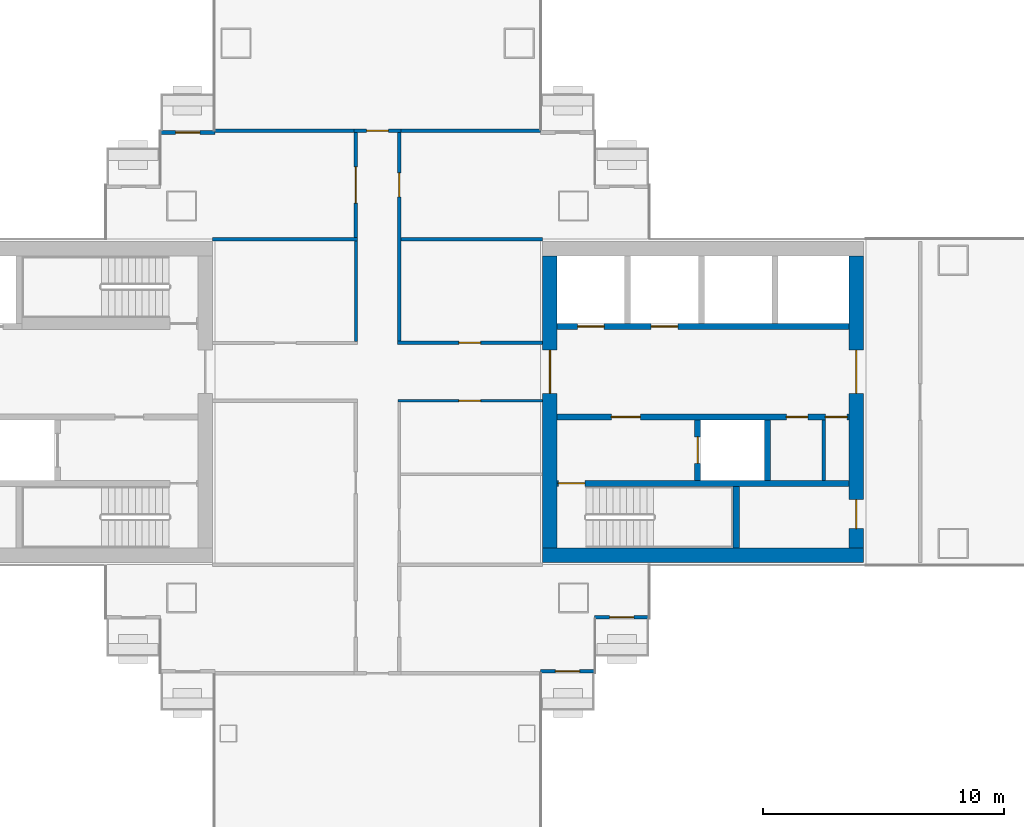
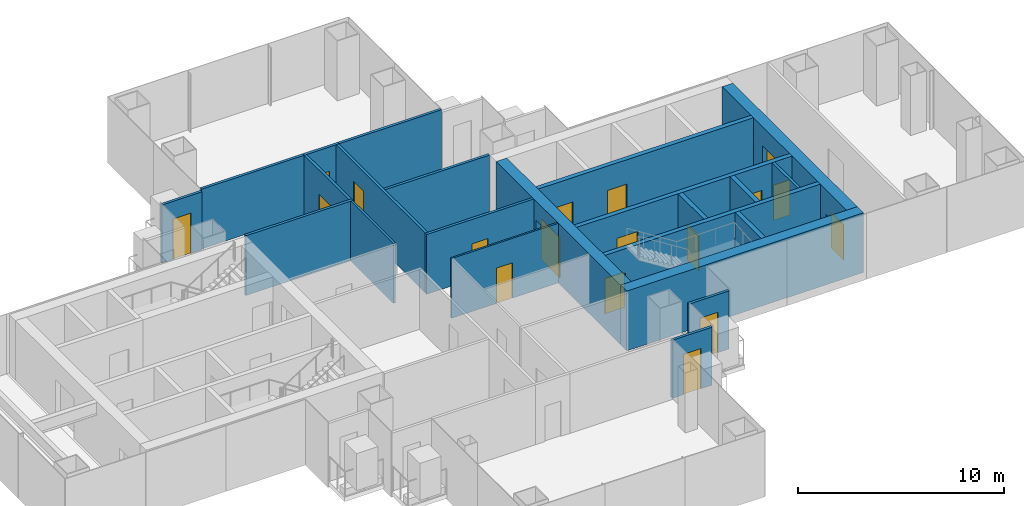
# One storey, part 13 of 20: 23 walls, 18 doors, 18 openings.
"""IFC4 building model written with IfcOpenShell, lengths in metres."""

from ifc_helpers import new_model, si_unit, direction, frame, frame_2d, origin, place, context, subcontext, project, spatial, rectangle, extrude, material, layer, layer_set, type_object, element, fill, save


model = new_model("IFC4")

# Units and contexts
model_context = context("Model", 3, precision=1e-05, world=origin(), true_north=direction((0.0, 1.0)))
body_context = subcontext(model_context, "Body", "Model", "MODEL_VIEW")
ifc_project = project(units=[si_unit("LENGTHUNIT", "METRE"), si_unit("AREAUNIT", "SQUARE_METRE"), si_unit("VOLUMEUNIT", "CUBIC_METRE"), si_unit("PLANEANGLEUNIT", "RADIAN"), si_unit("MASSUNIT", "GRAM", prefix="KILO")], contexts=[model_context])

# Site, building, storey
site_placement = place(None, origin())
site = spatial("IfcSite", under=ifc_project, at=site_placement, CompositionType="ELEMENT")
building_placement = place(site_placement, origin())
building = spatial("IfcBuilding", under=site, at=building_placement, Name="Shamsa Quay Exchange Towers", CompositionType="ELEMENT")
storey_placement = place(building_placement, frame((0.0, 0.0, 101.39990234375)))
storey = spatial("IfcBuildingStorey", under=building, at=storey_placement, Name="L23", CompositionType="ELEMENT", Elevation=101.39990234375)

# Wall, opening, door
ifc_material_1 = material(Name="Aluminium EN AW-6063 T6, black anodised, with black enamelled glass infill", Category="aluminium")
ifc_layer_1 = layer(ifc_material_1, 0.14990234375)
ifc_layer_set_1 = layer_set([ifc_layer_1], Name="BALCONY DOOR BAY WALL 150")
wall_type_1 = type_object("IfcWallType", Name="BALCONY DOOR BAY WALL 150", PredefinedType="SOLIDWALL", material=ifc_layer_set_1)
wall_1_placement = place(storey_placement, frame((-22.5, -8.925048828125, 0.0), z_axis=(0.0, 0.0, 1.0), x_axis=(-1.0, 0.0, 0.0)))
wall_1 = element("IfcWall", 1, at=wall_1_placement, inside=storey, type_object=wall_type_1, Name="Door bay T1-PKES L23", PredefinedType="SOLIDWALL", context=body_context, shape_type="SweptSolid", body=[
    extrude(rectangle(XDim=2.25, YDim=0.14990234375, at=frame_2d((1.125, 0.0))), origin(), (0.0, 0.0, 1.0), 3.4501953125),
])
opening_1_placement = place(wall_1_placement, frame((0.625, 0.0, 0.0)))
opening_1 = element("IfcOpeningElement", 2, at=opening_1_placement, cuts=wall_1, Name="Opening XD147", PredefinedType="OPENING", context=body_context, shape_type="SweptSolid", body=[
    extrude(rectangle(XDim=1.0, YDim=2.39990234375, at=frame_2d((0.5, 1.199951171875))), frame((0.0, 0.0849609375, 0.0), z_axis=(0.0, -1.0, 0.0), x_axis=(1.0, 0.0, 0.0)), (0.0, 0.0, 1.0), 0.169921875),
])
ifc_material_2 = material(Name="Aluminium EN AW-6063 T6, black anodised, with laminated glass leaf", Category="aluminium")
door_type_1 = type_object("IfcDoorType", Name="BALCONY DOOR 1000x2400", OperationType="SINGLE_SWING_LEFT", PredefinedType="DOOR", material=ifc_material_2)
door_1_placement = place(opening_1_placement, origin())
door_1 = element("IfcDoor", 3, at=door_1_placement, inside=storey, type_object=door_type_1, Name="Balcony door T1-PKES L23", OperationType="SINGLE_SWING_RIGHT", OverallHeight=2.39990234375, OverallWidth=1.0, PredefinedType="DOOR", context=body_context, shape_type="SweptSolid", body=[
    extrude(rectangle(XDim=1.0, YDim=2.39990234375, at=frame_2d((0.5, 1.199951171875))), frame((0.0, 0.02490234375, 0.0), z_axis=(0.0, -1.0, 0.0), x_axis=(1.0, 0.0, 0.0)), (0.0, 0.0, 1.0), 0.050048828125),
])
fill(opening_1, door_1)

wall_2_placement = place(storey_placement, frame((-24.75, -11.175048828125, 0.0), z_axis=(0.0, 0.0, 1.0), x_axis=(-1.0, 0.0, 0.0)))
wall_2 = element("IfcWall", 4, at=wall_2_placement, inside=storey, type_object=wall_type_1, Name="Door bay T1-PKES L23", PredefinedType="SOLIDWALL", context=body_context, shape_type="SweptSolid", body=[
    extrude(rectangle(XDim=2.25, YDim=0.14990234375, at=frame_2d((1.125, 0.0))), origin(), (0.0, 0.0, 1.0), 3.4501953125),
])
opening_2_placement = place(wall_2_placement, frame((0.625, 0.0, 0.0)))
opening_2 = element("IfcOpeningElement", 5, at=opening_2_placement, cuts=wall_2, Name="Opening XD148", PredefinedType="OPENING", context=body_context, shape_type="SweptSolid", body=[
    extrude(rectangle(XDim=1.0, YDim=2.39990234375, at=frame_2d((0.5, 1.199951171875))), frame((0.0, 0.0849609375, 0.0), z_axis=(0.0, -1.0, 0.0), x_axis=(1.0, 0.0, 0.0)), (0.0, 0.0, 1.0), 0.169921875),
])
door_2_placement = place(opening_2_placement, origin())
door_2 = element("IfcDoor", 6, at=door_2_placement, inside=storey, type_object=door_type_1, Name="Balcony door T1-PKES L23", OperationType="SINGLE_SWING_LEFT", OverallHeight=2.39990234375, OverallWidth=1.0, PredefinedType="DOOR", context=body_context, shape_type="SweptSolid", body=[
    extrude(rectangle(XDim=1.0, YDim=2.39990234375, at=frame_2d((0.5, 1.199951171875))), frame((0.0, 0.02490234375, 0.0), z_axis=(0.0, -1.0, 0.0), x_axis=(1.0, 0.0, 0.0)), (0.0, 0.0, 1.0), 0.050048828125),
])
fill(opening_2, door_2)

wall_3_placement = place(storey_placement, frame((-42.75, 11.175048828125, 0.0)))
wall_3 = element("IfcWall", 7, at=wall_3_placement, inside=storey, type_object=wall_type_1, Name="Door bay T1-PKWN L23", PredefinedType="SOLIDWALL", context=body_context, shape_type="SweptSolid", body=[
    extrude(rectangle(XDim=2.25, YDim=0.14990234375, at=frame_2d((1.125, 0.0))), origin(), (0.0, 0.0, 1.0), 3.4501953125),
])
opening_3_placement = place(wall_3_placement, frame((0.625, 0.0, 0.0)))
opening_3 = element("IfcOpeningElement", 8, at=opening_3_placement, cuts=wall_3, Name="Opening XD149", PredefinedType="OPENING", context=body_context, shape_type="SweptSolid", body=[
    extrude(rectangle(XDim=1.0, YDim=2.39990234375, at=frame_2d((0.5, 1.199951171875))), frame((0.0, 0.0849609375, 0.0), z_axis=(0.0, -1.0, 0.0), x_axis=(1.0, 0.0, 0.0)), (0.0, 0.0, 1.0), 0.169921875),
])
door_3_placement = place(opening_3_placement, origin())
door_3 = element("IfcDoor", 9, at=door_3_placement, inside=storey, type_object=door_type_1, Name="Balcony door T1-PKWN L23", OperationType="SINGLE_SWING_LEFT", OverallHeight=2.39990234375, OverallWidth=1.0, PredefinedType="DOOR", context=body_context, shape_type="SweptSolid", body=[
    extrude(rectangle(XDim=1.0, YDim=2.39990234375, at=frame_2d((0.5, 1.199951171875))), frame((0.0, 0.02490234375, 0.0), z_axis=(0.0, -1.0, 0.0), x_axis=(1.0, 0.0, 0.0)), (0.0, 0.0, 1.0), 0.050048828125),
])
fill(opening_3, door_3)

# Wall
ifc_material_3 = material(Name="Concrete C70/85", Category="concrete")
ifc_layer_2 = layer(ifc_material_3, 0.60009765625)
ifc_layer_set_2 = layer_set([ifc_layer_2], Name="CORE WALL 600 C70/85")
wall_type_2 = type_object("IfcWallType", Name="CORE WALL 600 C70/85", PredefinedType="SHEAR", material=ifc_layer_set_2)
wall_4_placement = place(storey_placement, frame((-26.89990234375, -6.35009765625, 0.0)))
element("IfcWall", 10, at=wall_4_placement, inside=storey, type_object=wall_type_2, Name="Core wall T1A-R10-PS", PredefinedType="SHEAR", context=body_context, shape_type="SweptSolid", body=[
    extrude(rectangle(XDim=13.2998046875, YDim=0.60009765625, at=frame_2d((6.64990234375, 0.0))), origin(), (0.0, 0.0, 1.0), 3.550048828125),
])

# Wall, opening, door
wall_5_placement = place(storey_placement, frame((-26.60009765625, 6.050048828125, 0.0), z_axis=(0.0, 0.0, 1.0), x_axis=(0.0, -1.0, 0.0)))
wall_5 = element("IfcWall", 11, at=wall_5_placement, inside=storey, type_object=wall_type_2, Name="Core wall T1A-R10-PF", PredefinedType="SHEAR", context=body_context, shape_type="SweptSolid", body=[
    extrude(rectangle(XDim=12.10009765625, YDim=0.60009765625, at=frame_2d((6.050048828125, 0.0))), origin(), (0.0, 0.0, 1.0), 3.550048828125),
])
opening_4_placement = place(wall_5_placement, frame((3.89990234375, 0.0, 0.0)))
opening_4 = element("IfcOpeningElement", 12, at=opening_4_placement, cuts=wall_5, Name="Opening T1A-R10-LBD01", PredefinedType="OPENING", context=body_context, shape_type="SweptSolid", body=[
    extrude(rectangle(XDim=1.800048828125, YDim=2.39990234375, at=frame_2d((0.89990234375, 1.199951171875))), frame((0.0, 0.31005859375, 0.0), z_axis=(0.0, -1.0, 0.0), x_axis=(1.0, 0.0, 0.0)), (0.0, 0.0, 1.0), 0.6201171875),
])
ifc_material_4 = material(Name="Steel, fire rated", Category="steel")
door_type_2 = type_object("IfcDoorType", Name="LIFT LOBBY DOOR PAIR 1800", OperationType="DOUBLE_DOOR_SINGLE_SWING", PredefinedType="DOOR", material=ifc_material_4)
door_4_placement = place(opening_4_placement, origin())
door_4 = element("IfcDoor", 13, at=door_4_placement, inside=storey, type_object=door_type_2, Name="T1A-R10-LBD01", OperationType="DOUBLE_DOOR_SINGLE_SWING", OverallHeight=2.39990234375, OverallWidth=1.800048828125, PredefinedType="DOOR", context=body_context, shape_type="SweptSolid", body=[
    extrude(rectangle(XDim=1.800048828125, YDim=2.39990234375, at=frame_2d((0.89990234375, 1.199951171875))), frame((0.0, 0.02490234375, 0.0), z_axis=(0.0, -1.0, 0.0), x_axis=(1.0, 0.0, 0.0)), (0.0, 0.0, 1.0), 0.050048828125),
])
fill(opening_4, door_4)

# Wall, openings, doors
wall_6_placement = place(storey_placement, frame((-13.89990234375, 6.050048828125, 0.0), z_axis=(0.0, 0.0, 1.0), x_axis=(0.0, -1.0, 0.0)))
wall_6 = element("IfcWall", 14, at=wall_6_placement, inside=storey, type_object=wall_type_2, Name="Core wall T1A-R10-PB", PredefinedType="SHEAR", context=body_context, shape_type="SweptSolid", body=[
    extrude(rectangle(XDim=12.10009765625, YDim=0.60009765625, at=frame_2d((6.050048828125, 0.0))), origin(), (0.0, 0.0, 1.0), 3.550048828125),
])
opening_5_placement = place(wall_6_placement, frame((10.10009765625, 0.0, 0.0)))
opening_5 = element("IfcOpeningElement", 15, at=opening_5_placement, cuts=wall_6, Name="Opening T1A-R10-RD02", PredefinedType="OPENING", context=body_context, shape_type="SweptSolid", body=[
    extrude(rectangle(XDim=1.199951171875, YDim=2.10009765625, at=frame_2d((0.60009765625, 1.050048828125))), frame((0.0, 0.31005859375, 0.0), z_axis=(0.0, -1.0, 0.0), x_axis=(1.0, 0.0, 0.0)), (0.0, 0.0, 1.0), 0.6201171875),
])
opening_6_placement = place(wall_6_placement, frame((3.89990234375, 0.0, 0.0)))
opening_6 = element("IfcOpeningElement", 16, at=opening_6_placement, cuts=wall_6, Name="Opening T1A-R10-LBD03", PredefinedType="OPENING", context=body_context, shape_type="SweptSolid", body=[
    extrude(rectangle(XDim=1.800048828125, YDim=2.39990234375, at=frame_2d((0.89990234375, 1.199951171875))), frame((0.0, 0.31005859375, 0.0), z_axis=(0.0, -1.0, 0.0), x_axis=(1.0, 0.0, 0.0)), (0.0, 0.0, 1.0), 0.6201171875),
])
door_5_placement = place(opening_6_placement, origin())
door_5 = element("IfcDoor", 17, at=door_5_placement, inside=storey, type_object=door_type_2, Name="T1A-R10-LBD03", OperationType="DOUBLE_DOOR_SINGLE_SWING", OverallHeight=2.39990234375, OverallWidth=1.800048828125, PredefinedType="DOOR", context=body_context, shape_type="SweptSolid", body=[
    extrude(rectangle(XDim=1.800048828125, YDim=2.39990234375, at=frame_2d((0.89990234375, 1.199951171875))), frame((0.0, 0.02490234375, 0.0), z_axis=(0.0, -1.0, 0.0), x_axis=(1.0, 0.0, 0.0)), (0.0, 0.0, 1.0), 0.050048828125),
])
fill(opening_6, door_5)
door_type_3 = type_object("IfcDoorType", Name="RISER ACCESS DOOR 1200", OperationType="SINGLE_SWING_LEFT", PredefinedType="DOOR", material=ifc_material_4)
door_6_placement = place(opening_5_placement, origin())
door_6 = element("IfcDoor", 18, at=door_6_placement, inside=storey, type_object=door_type_3, Name="T1A-R10-RD02", OperationType="SINGLE_SWING_RIGHT", OverallHeight=2.10009765625, OverallWidth=1.199951171875, PredefinedType="DOOR", context=body_context, shape_type="SweptSolid", body=[
    extrude(rectangle(XDim=1.199951171875, YDim=2.10009765625, at=frame_2d((0.60009765625, 1.050048828125))), frame((0.0, 0.02490234375, 0.0), z_axis=(0.0, -1.0, 0.0), x_axis=(1.0, 0.0, 0.0)), (0.0, 0.0, 1.0), 0.050048828125),
])
fill(opening_5, door_6)

# Walls
ifc_material_5 = material(Name="Gypsum board on steel studs, EI 60", Category="steel")
ifc_layer_3 = layer(ifc_material_5, 0.14990234375)
ifc_layer_set_3 = layer_set([ifc_layer_3], Name="FIRE PARTITION 150")
wall_type_3 = type_object("IfcWallType", Name="FIRE PARTITION 150", PredefinedType="PARTITIONING", material=ifc_layer_set_3)
wall_7_placement = place(storey_placement, frame((-15.25, -3.25, 0.0), z_axis=(0.0, 0.0, 1.0), x_axis=(0.0, 1.0, 0.0)))
element("IfcWall", 19, at=wall_7_placement, inside=storey, type_object=wall_type_3, Name="Partition T1A-R10-EC0", PredefinedType="PARTITIONING", context=body_context, shape_type="SweptSolid", body=[
    extrude(rectangle(XDim=2.5, YDim=0.14990234375, at=frame_2d((1.25, 0.0))), origin(), (0.0, 0.0, 1.0), 3.550048828125),
])
ifc_material_6 = material(Name="Laminated fire-resisting glass in a metal frame", Category="glass")
ifc_layer_4 = layer(ifc_material_6, 0.125)
ifc_layer_set_4 = layer_set([ifc_layer_4], Name="Glazed partition 125 mm EI 60")
wall_type_4 = type_object("IfcWallType", Name="Glazed partition 125 mm EI 60", PredefinedType="PARTITIONING", material=ifc_layer_set_4)
wall_8_placement = place(storey_placement, frame((-34.650390625, 2.5126953125, 0.0), z_axis=(0.0, 0.0, 1.0), x_axis=(0.0, 1.0, 0.0)))
element("IfcWall", 20, at=wall_8_placement, inside=storey, type_object=wall_type_4, Name="Partition T1-R10-W07", PredefinedType="PARTITIONING", context=body_context, shape_type="SweptSolid", body=[
    extrude(rectangle(XDim=4.162353515625, YDim=0.125, at=frame_2d((2.0810546875, 0.0))), origin(), (0.0, 0.0, 1.0), 3.550048828125),
])

# Wall, opening, door
ifc_material_7 = material(Name="Gypsum board partition on metal studs")
ifc_layer_5 = layer(ifc_material_7, 0.10009765625)
ifc_layer_set_5 = layer_set([ifc_layer_5], Name="Partition 100 mm NOT RATED")
wall_type_5 = type_object("IfcWallType", Name="Partition 100 mm NOT RATED", PredefinedType="PARTITIONING", material=ifc_layer_set_5)
wall_9_placement = place(storey_placement, frame((-26.89990234375, 0.0498046875, 0.0), z_axis=(0.0, 0.0, 1.0), x_axis=(-1.0, 0.0, 0.0)))
wall_9 = element("IfcWall", 21, at=wall_9_placement, inside=storey, type_object=wall_type_5, Name="Partition T1-R10-W05", PredefinedType="PARTITIONING", context=body_context, shape_type="SweptSolid", body=[
    extrude(rectangle(XDim=5.999755859375, YDim=0.10009765625, at=frame_2d((3.0, 0.0))), origin(), (0.0, 0.0, 1.0), 3.550048828125),
])
opening_7_placement = place(wall_9_placement, frame((2.57470703125, 0.0, 0.0)))
opening_7 = element("IfcOpeningElement", 22, at=opening_7_placement, cuts=wall_9, Name="Opening T1-R10-D11", PredefinedType="OPENING", context=body_context, shape_type="SweptSolid", body=[
    extrude(rectangle(XDim=0.89990234375, YDim=2.10009765625, at=frame_2d((0.449951171875, 1.050048828125))), frame((0.0, 0.06005859375, 0.0), z_axis=(0.0, -1.0, 0.0), x_axis=(1.0, 0.0, 0.0)), (0.0, 0.0, 1.0), 0.1201171875),
])
ifc_material_8 = material(Name="Timber door leaf in a metal frame", Category="wood")
door_type_4 = type_object("IfcDoorType", Name="Door 900x2100 NOT RATED", OperationType="NOTDEFINED", PredefinedType="DOOR", material=ifc_material_8)
door_7_placement = place(opening_7_placement, origin())
door_7 = element("IfcDoor", 23, at=door_7_placement, inside=storey, type_object=door_type_4, Name="Door T1-R10-D11", OperationType="SINGLE_SWING_RIGHT", OverallHeight=2.10009765625, OverallWidth=0.89990234375, PredefinedType="DOOR", context=body_context, shape_type="SweptSolid", body=[
    extrude(rectangle(XDim=0.89990234375, YDim=2.10009765625, at=frame_2d((0.449951171875, 1.050048828125))), frame((0.0, 0.02490234375, 0.0), z_axis=(0.0, -1.0, 0.0), x_axis=(1.0, 0.0, 0.0)), (0.0, 0.0, 1.0), 0.050048828125),
])
fill(opening_7, door_7)

ifc_layer_6 = layer(ifc_material_7, 0.14990234375)
ifc_layer_set_6 = layer_set([ifc_layer_6], Name="Partition 150 mm EI 60")
wall_type_6 = type_object("IfcWallType", Name="Partition 150 mm EI 60", PredefinedType="PARTITIONING", material=ifc_layer_set_6)
wall_10_placement = place(storey_placement, frame((-32.849609375, 11.175048828125, 0.0), z_axis=(0.0, 0.0, 1.0), x_axis=(0.0, -1.0, 0.0)))
wall_10 = element("IfcWall", 24, at=wall_10_placement, inside=storey, type_object=wall_type_6, Name="Partition T1-R10-W01", PredefinedType="PARTITIONING", context=body_context, shape_type="SweptSolid", body=[
    extrude(rectangle(XDim=8.64990234375, YDim=0.14990234375, at=frame_2d((4.324951171875, 0.0))), origin(), (0.0, 0.0, 1.0), 3.550048828125),
])
opening_8_placement = place(wall_10_placement, frame((1.675048828125, 0.0, 0.0)))
opening_8 = element("IfcOpeningElement", 25, at=opening_8_placement, cuts=wall_10, Name="Opening T1-R10-D10", PredefinedType="OPENING", context=body_context, shape_type="SweptSolid", body=[
    extrude(rectangle(XDim=1.0, YDim=2.39990234375, at=frame_2d((0.5, 1.199951171875))), frame((0.0, 0.0849609375, 0.0), z_axis=(0.0, -1.0, 0.0), x_axis=(1.0, 0.0, 0.0)), (0.0, 0.0, 1.0), 0.169921875),
])
door_type_5 = type_object("IfcDoorType", Name="Door 1000x2400 FD30S", OperationType="NOTDEFINED", PredefinedType="DOOR", material=ifc_material_8)
door_8_placement = place(opening_8_placement, origin())
door_8 = element("IfcDoor", 26, at=door_8_placement, inside=storey, type_object=door_type_5, Name="Door T1-R10-D10", OperationType="SINGLE_SWING_RIGHT", OverallHeight=2.39990234375, OverallWidth=1.0, PredefinedType="DOOR", context=body_context, shape_type="SweptSolid", body=[
    extrude(rectangle(XDim=1.0, YDim=2.39990234375, at=frame_2d((0.5, 1.199951171875))), frame((0.0, 0.02490234375, 0.0), z_axis=(0.0, -1.0, 0.0), x_axis=(1.0, 0.0, 0.0)), (0.0, 0.0, 1.0), 0.050048828125),
])
fill(opening_8, door_8)

wall_11_placement = place(storey_placement, frame((-32.924560546875, 2.4501953125, 0.0)))
wall_11 = element("IfcWall", 27, at=wall_11_placement, inside=storey, type_object=wall_type_6, Name="Partition T1-R10-W03", PredefinedType="PARTITIONING", context=body_context, shape_type="SweptSolid", body=[
    extrude(rectangle(XDim=6.024658203125, YDim=0.14990234375, at=frame_2d((3.01220703125, 0.0))), origin(), (0.0, 0.0, 1.0), 3.550048828125),
])
opening_9_placement = place(wall_11_placement, frame((2.5498046875, 0.0, 0.0)))
opening_9 = element("IfcOpeningElement", 28, at=opening_9_placement, cuts=wall_11, Name="Opening T1-R10-D09", PredefinedType="OPENING", context=body_context, shape_type="SweptSolid", body=[
    extrude(rectangle(XDim=0.89990234375, YDim=2.10009765625, at=frame_2d((0.449951171875, 1.050048828125))), frame((0.0, 0.0849609375, 0.0), z_axis=(0.0, -1.0, 0.0), x_axis=(1.0, 0.0, 0.0)), (0.0, 0.0, 1.0), 0.169921875),
])
door_type_6 = type_object("IfcDoorType", Name="Door 900x2100 FD30S", OperationType="NOTDEFINED", PredefinedType="DOOR", material=ifc_material_8)
door_9_placement = place(opening_9_placement, origin())
door_9 = element("IfcDoor", 29, at=door_9_placement, inside=storey, type_object=door_type_6, Name="Door T1-R10-D09", OperationType="SINGLE_SWING_LEFT", OverallHeight=2.10009765625, OverallWidth=0.89990234375, PredefinedType="DOOR", context=body_context, shape_type="SweptSolid", body=[
    extrude(rectangle(XDim=0.89990234375, YDim=2.10009765625, at=frame_2d((0.449951171875, 1.050048828125))), frame((0.0, 0.02490234375, 0.0), z_axis=(0.0, -1.0, 0.0), x_axis=(1.0, 0.0, 0.0)), (0.0, 0.0, 1.0), 0.050048828125),
])
fill(opening_9, door_9)

wall_12_placement = place(storey_placement, frame((-34.650390625, 6.824951171875, 0.0), z_axis=(0.0, 0.0, 1.0), x_axis=(0.0, 1.0, 0.0)))
wall_12 = element("IfcWall", 30, at=wall_12_placement, inside=storey, type_object=wall_type_6, Name="Partition T1-R10-W09", PredefinedType="PARTITIONING", context=body_context, shape_type="SweptSolid", body=[
    extrude(rectangle(XDim=4.35009765625, YDim=0.14990234375, at=frame_2d((2.175048828125, 0.0))), origin(), (0.0, 0.0, 1.0), 3.550048828125),
])
opening_10_placement = place(wall_12_placement, frame((1.425048828125, 0.0, 0.0)))
opening_10 = element("IfcOpeningElement", 31, at=opening_10_placement, cuts=wall_12, Name="Opening T1-R10-D04", PredefinedType="OPENING", context=body_context, shape_type="SweptSolid", body=[
    extrude(rectangle(XDim=1.5, YDim=2.10009765625, at=frame_2d((0.75, 1.050048828125))), frame((0.0, 0.0849609375, 0.0), z_axis=(0.0, -1.0, 0.0), x_axis=(1.0, 0.0, 0.0)), (0.0, 0.0, 1.0), 0.169921875),
])
door_type_7 = type_object("IfcDoorType", Name="Door 1500x2100 FD30S pair", OperationType="NOTDEFINED", PredefinedType="DOOR", material=ifc_material_8)
door_10_placement = place(opening_10_placement, origin())
door_10 = element("IfcDoor", 32, at=door_10_placement, inside=storey, type_object=door_type_7, Name="Door T1-R10-D04", OperationType="DOUBLE_DOOR_SINGLE_SWING", OverallHeight=2.10009765625, OverallWidth=1.5, PredefinedType="DOOR", context=body_context, shape_type="SweptSolid", body=[
    extrude(rectangle(XDim=1.5, YDim=2.10009765625, at=frame_2d((0.75, 1.050048828125))), frame((0.0, 0.02490234375, 0.0), z_axis=(0.0, -1.0, 0.0), x_axis=(1.0, 0.0, 0.0)), (0.0, 0.0, 1.0), 0.050048828125),
])
fill(opening_10, door_10)

wall_13_placement = place(storey_placement, frame((-34.725341796875, 11.25, 0.0)))
wall_13 = element("IfcWall", 33, at=wall_13_placement, inside=storey, type_object=wall_type_6, Name="Partition T1-R10-W11", PredefinedType="PARTITIONING", context=body_context, shape_type="SweptSolid", body=[
    extrude(rectangle(XDim=1.95068359375, YDim=0.14990234375, at=frame_2d((0.975341796875, 0.0))), origin(), (0.0, 0.0, 1.0), 3.550048828125),
])
opening_11_placement = place(wall_13_placement, frame((0.525390625, 0.0, 0.0)))
opening_11 = element("IfcOpeningElement", 34, at=opening_11_placement, cuts=wall_13, Name="Opening T1-R10-D05", PredefinedType="OPENING", context=body_context, shape_type="SweptSolid", body=[
    extrude(rectangle(XDim=0.89990234375, YDim=2.10009765625, at=frame_2d((0.449951171875, 1.050048828125))), frame((0.0, 0.0849609375, 0.0), z_axis=(0.0, -1.0, 0.0), x_axis=(1.0, 0.0, 0.0)), (0.0, 0.0, 1.0), 0.169921875),
])
door_11_placement = place(opening_11_placement, origin())
door_11 = element("IfcDoor", 35, at=door_11_placement, inside=storey, type_object=door_type_6, Name="Door T1-R10-D05", OperationType="SINGLE_SWING_LEFT", OverallHeight=2.10009765625, OverallWidth=0.89990234375, PredefinedType="DOOR", context=body_context, shape_type="SweptSolid", body=[
    extrude(rectangle(XDim=0.89990234375, YDim=2.10009765625, at=frame_2d((0.449951171875, 1.050048828125))), frame((0.0, 0.02490234375, 0.0), z_axis=(0.0, -1.0, 0.0), x_axis=(1.0, 0.0, 0.0)), (0.0, 0.0, 1.0), 0.050048828125),
])
fill(opening_11, door_11)

# Walls
wall_14_placement = place(storey_placement, frame((-26.89990234375, 6.75, 0.0), z_axis=(0.0, 0.0, 1.0), x_axis=(-1.0, 0.0, 0.0)))
element("IfcWall", 36, at=wall_14_placement, inside=storey, type_object=wall_type_6, Name="Partition T1-R10-W14", PredefinedType="PARTITIONING", context=body_context, shape_type="SweptSolid", body=[
    extrude(rectangle(XDim=5.874755859375, YDim=0.14990234375, at=frame_2d((2.9375, 0.0))), origin(), (0.0, 0.0, 1.0), 3.550048828125),
])
wall_15_placement = place(storey_placement, frame((-34.575439453125, 6.75, 0.0), z_axis=(0.0, 0.0, 1.0), x_axis=(-1.0, 0.0, 0.0)))
element("IfcWall", 37, at=wall_15_placement, inside=storey, type_object=wall_type_6, Name="Partition T1-R10-W15", PredefinedType="PARTITIONING", context=body_context, shape_type="SweptSolid", body=[
    extrude(rectangle(XDim=6.024658203125, YDim=0.14990234375, at=frame_2d((3.01220703125, 0.0))), origin(), (0.0, 0.0, 1.0), 3.550048828125),
])
for number, where, z_axis, x_axis, name in (
    (38, (-27.0, 11.25, 0.0), (0.0, 0.0, 1.0), (-1.0, 0.0, 0.0), "Partition T1-R10-W19"),
    (39, (-34.575439453125, 11.25, 0.0), (0.0, 0.0, 1.0), (-1.0, 0.0, 0.0), "Partition T1-R10-W20"),
):
    element("IfcWall", number, at=place(storey_placement, frame(where, z_axis=z_axis, x_axis=x_axis)), inside=storey, type_object=wall_type_6, Name=name, PredefinedType="PARTITIONING", context=body_context, shape_type="SweptSolid", body=[
        extrude(rectangle(XDim=5.924560546875, YDim=0.14990234375, at=frame_2d((2.96240234375, 0.0))), origin(), (0.0, 0.0, 1.0), 3.550048828125),
    ])

# Wall, opening, door
ifc_material_9 = material(Name="Concrete C50/60", Category="concrete")
ifc_layer_7 = layer(ifc_material_9, 0.25)
ifc_layer_set_7 = layer_set([ifc_layer_7], Name="SHAFT WALL 250 C50/60")
wall_type_7 = type_object("IfcWallType", Name="SHAFT WALL 250 C50/60", PredefinedType="SHEAR", material=ifc_layer_set_7)
wall_16_placement = place(storey_placement, frame((-14.199951171875, -3.375, 0.0), z_axis=(0.0, 0.0, 1.0), x_axis=(-1.0, 0.0, 0.0)))
wall_16 = element("IfcWall", 40, at=wall_16_placement, inside=storey, type_object=wall_type_7, Name="Shaft wall T1A-R10-STL", PredefinedType="SHEAR", context=body_context, shape_type="SweptSolid", body=[
    extrude(rectangle(XDim=12.10009765625, YDim=0.25, at=frame_2d((6.050048828125, 0.0))), origin(), (0.0, 0.0, 1.0), 3.550048828125),
])
opening_12_placement = place(wall_16_placement, frame((10.949951171875, 0.0, 0.0)))
opening_12 = element("IfcOpeningElement", 41, at=opening_12_placement, cuts=wall_16, Name="Opening T1A-R10-SD04", PredefinedType="OPENING", context=body_context, shape_type="SweptSolid", body=[
    extrude(rectangle(XDim=1.10009765625, YDim=2.10009765625, at=frame_2d((0.550048828125, 1.050048828125))), frame((0.0, 0.135009765625, 0.0), z_axis=(0.0, -1.0, 0.0), x_axis=(1.0, 0.0, 0.0)), (0.0, 0.0, 1.0), 0.27001953125),
])
door_type_8 = type_object("IfcDoorType", Name="STAIR DOOR 1100", OperationType="SINGLE_SWING_LEFT", PredefinedType="DOOR", material=ifc_material_4)
door_12_placement = place(opening_12_placement, origin())
door_12 = element("IfcDoor", 42, at=door_12_placement, inside=storey, type_object=door_type_8, Name="T1A-R10-SD04", OperationType="SINGLE_SWING_RIGHT", OverallHeight=2.10009765625, OverallWidth=1.10009765625, PredefinedType="DOOR", context=body_context, shape_type="SweptSolid", body=[
    extrude(rectangle(XDim=1.10009765625, YDim=2.10009765625, at=frame_2d((0.550048828125, 1.050048828125))), frame((0.0, 0.02490234375, 0.0), z_axis=(0.0, -1.0, 0.0), x_axis=(1.0, 0.0, 0.0)), (0.0, 0.0, 1.0), 0.050048828125),
])
fill(opening_12, door_12)

# Wall
wall_17_placement = place(storey_placement, frame((-18.875, -6.050048828125, 0.0), z_axis=(0.0, 0.0, 1.0), x_axis=(0.0, 1.0, 0.0)))
element("IfcWall", 43, at=wall_17_placement, inside=storey, type_object=wall_type_7, Name="Shaft wall T1A-R10-STF", PredefinedType="SHEAR", context=body_context, shape_type="SweptSolid", body=[
    extrude(rectangle(XDim=2.550048828125, YDim=0.25, at=frame_2d((1.27490234375, 0.0))), origin(), (0.0, 0.0, 1.0), 3.550048828125),
])

# Wall, openings, doors
wall_18_placement = place(storey_placement, frame((-14.199951171875, -0.625, 0.0), z_axis=(0.0, 0.0, 1.0), x_axis=(-1.0, 0.0, 0.0)))
wall_18 = element("IfcWall", 44, at=wall_18_placement, inside=storey, type_object=wall_type_7, Name="Shaft wall T1A-R10-B", PredefinedType="SHEAR", context=body_context, shape_type="SweptSolid", body=[
    extrude(rectangle(XDim=12.10009765625, YDim=0.25, at=frame_2d((6.050048828125, 0.0))), origin(), (0.0, 0.0, 1.0), 3.550048828125),
])
opening_13_placement = place(wall_18_placement, frame((8.64990234375, 0.0, 0.0)))
opening_13 = element("IfcOpeningElement", 45, at=opening_13_placement, cuts=wall_18, Name="Opening T1A-R10-FD05", PredefinedType="OPENING", context=body_context, shape_type="SweptSolid", body=[
    extrude(rectangle(XDim=1.199951171875, YDim=2.10009765625, at=frame_2d((0.60009765625, 1.050048828125))), frame((0.0, 0.135009765625, 0.0), z_axis=(0.0, -1.0, 0.0), x_axis=(1.0, 0.0, 0.0)), (0.0, 0.0, 1.0), 0.27001953125),
])
opening_14_placement = place(wall_18_placement, frame((1.699951171875, 0.0, 0.0)))
opening_14 = element("IfcOpeningElement", 46, at=opening_14_placement, cuts=wall_18, Name="Opening T1A-R10-SV06", PredefinedType="OPENING", context=body_context, shape_type="SweptSolid", body=[
    extrude(rectangle(XDim=0.89990234375, YDim=2.10009765625, at=frame_2d((0.449951171875, 1.050048828125))), frame((0.0, 0.135009765625, 0.0), z_axis=(0.0, -1.0, 0.0), x_axis=(1.0, 0.0, 0.0)), (0.0, 0.0, 1.0), 0.27001953125),
])
opening_15_placement = place(wall_18_placement, frame((0.074951171875, 0.0, 0.0)))
opening_15 = element("IfcOpeningElement", 47, at=opening_15_placement, cuts=wall_18, Name="Opening T1A-R10-SV07", PredefinedType="OPENING", context=body_context, shape_type="SweptSolid", body=[
    extrude(rectangle(XDim=0.89990234375, YDim=2.10009765625, at=frame_2d((0.449951171875, 1.050048828125))), frame((0.0, 0.135009765625, 0.0), z_axis=(0.0, -1.0, 0.0), x_axis=(1.0, 0.0, 0.0)), (0.0, 0.0, 1.0), 0.27001953125),
])
door_type_9 = type_object("IfcDoorType", Name="FIRE SERVICE LOBBY DOOR 1200", OperationType="SINGLE_SWING_LEFT", PredefinedType="DOOR", material=ifc_material_4)
door_13_placement = place(opening_13_placement, origin())
door_13 = element("IfcDoor", 48, at=door_13_placement, inside=storey, type_object=door_type_9, Name="T1A-R10-FD05", OperationType="SINGLE_SWING_RIGHT", OverallHeight=2.10009765625, OverallWidth=1.199951171875, PredefinedType="DOOR", context=body_context, shape_type="SweptSolid", body=[
    extrude(rectangle(XDim=1.199951171875, YDim=2.10009765625, at=frame_2d((0.60009765625, 1.050048828125))), frame((0.0, 0.02490234375, 0.0), z_axis=(0.0, -1.0, 0.0), x_axis=(1.0, 0.0, 0.0)), (0.0, 0.0, 1.0), 0.050048828125),
])
fill(opening_13, door_13)
door_type_10 = type_object("IfcDoorType", Name="SERVICE ROOM DOOR 900", OperationType="SINGLE_SWING_LEFT", PredefinedType="DOOR", material=ifc_material_4)
door_14_placement = place(opening_14_placement, origin())
door_14 = element("IfcDoor", 49, at=door_14_placement, inside=storey, type_object=door_type_10, Name="T1A-R10-SV06", OperationType="SINGLE_SWING_LEFT", OverallHeight=2.10009765625, OverallWidth=0.89990234375, PredefinedType="DOOR", context=body_context, shape_type="SweptSolid", body=[
    extrude(rectangle(XDim=0.89990234375, YDim=2.10009765625, at=frame_2d((0.449951171875, 1.050048828125))), frame((0.0, 0.02490234375, 0.0), z_axis=(0.0, -1.0, 0.0), x_axis=(1.0, 0.0, 0.0)), (0.0, 0.0, 1.0), 0.050048828125),
])
fill(opening_14, door_14)
door_15_placement = place(opening_15_placement, origin())
door_15 = element("IfcDoor", 50, at=door_15_placement, inside=storey, type_object=door_type_10, Name="T1A-R10-SV07", OperationType="SINGLE_SWING_LEFT", OverallHeight=2.10009765625, OverallWidth=0.89990234375, PredefinedType="DOOR", context=body_context, shape_type="SweptSolid", body=[
    extrude(rectangle(XDim=0.89990234375, YDim=2.10009765625, at=frame_2d((0.449951171875, 1.050048828125))), frame((0.0, 0.02490234375, 0.0), z_axis=(0.0, -1.0, 0.0), x_axis=(1.0, 0.0, 0.0)), (0.0, 0.0, 1.0), 0.050048828125),
])
fill(opening_15, door_15)

# Wall, opening, door
wall_19_placement = place(storey_placement, frame((-20.47509765625, -3.25, 0.0), z_axis=(0.0, 0.0, 1.0), x_axis=(0.0, 1.0, 0.0)))
wall_19 = element("IfcWall", 51, at=wall_19_placement, inside=storey, type_object=wall_type_7, Name="Shaft wall T1A-R10-FFF", PredefinedType="SHEAR", context=body_context, shape_type="SweptSolid", body=[
    extrude(rectangle(XDim=2.5, YDim=0.25, at=frame_2d((1.25, 0.0))), origin(), (0.0, 0.0, 1.0), 3.550048828125),
])
opening_16_placement = place(wall_19_placement, frame((0.699951171875, 0.0, 0.0)))
opening_16 = element("IfcOpeningElement", 52, at=opening_16_placement, cuts=wall_19, Name="Opening T1A-R10-LDF08", PredefinedType="OPENING", context=body_context, shape_type="SweptSolid", body=[
    extrude(rectangle(XDim=1.10009765625, YDim=2.10009765625, at=frame_2d((0.550048828125, 1.050048828125))), frame((0.0, 0.135009765625, 0.0), z_axis=(0.0, -1.0, 0.0), x_axis=(1.0, 0.0, 0.0)), (0.0, 0.0, 1.0), 0.27001953125),
])
door_type_11 = type_object("IfcDoorType", Name="FIRE SERVICE LANDING DOOR 1100", OperationType="SLIDING_TO_LEFT", PredefinedType="DOOR", material=ifc_material_4)
door_16_placement = place(opening_16_placement, origin())
door_16 = element("IfcDoor", 53, at=door_16_placement, inside=storey, type_object=door_type_11, Name="T1A-R10-LDF08", OperationType="SLIDING_TO_LEFT", OverallHeight=2.10009765625, OverallWidth=1.10009765625, PredefinedType="DOOR", context=body_context, shape_type="SweptSolid", body=[
    extrude(rectangle(XDim=1.10009765625, YDim=2.10009765625, at=frame_2d((0.550048828125, 1.050048828125))), frame((0.0, 0.02490234375, 0.0), z_axis=(0.0, -1.0, 0.0), x_axis=(1.0, 0.0, 0.0)), (0.0, 0.0, 1.0), 0.050048828125),
])
fill(opening_16, door_16)

# Wall
wall_20_placement = place(storey_placement, frame((-17.574951171875, -3.25, 0.0), z_axis=(0.0, 0.0, 1.0), x_axis=(0.0, 1.0, 0.0)))
element("IfcWall", 54, at=wall_20_placement, inside=storey, type_object=wall_type_7, Name="Shaft wall T1A-R10-FFB", PredefinedType="SHEAR", context=body_context, shape_type="SweptSolid", body=[
    extrude(rectangle(XDim=2.5, YDim=0.25, at=frame_2d((1.25, 0.0))), origin(), (0.0, 0.0, 1.0), 3.550048828125),
])

# Wall, openings, doors
wall_21_placement = place(storey_placement, frame((-26.300048828125, 3.125, 0.0)))
wall_21 = element("IfcWall", 55, at=wall_21_placement, inside=storey, type_object=wall_type_7, Name="Shaft wall T1A-R10-N", PredefinedType="SHEAR", context=body_context, shape_type="SweptSolid", body=[
    extrude(rectangle(XDim=12.10009765625, YDim=0.25, at=frame_2d((6.050048828125, 0.0))), origin(), (0.0, 0.0, 1.0), 3.550048828125),
])
opening_17_placement = place(wall_21_placement, frame((0.85009765625, 0.0, 0.0)))
opening_17 = element("IfcOpeningElement", 56, at=opening_17_placement, cuts=wall_21, Name="Opening T1A-R10-LD09", PredefinedType="OPENING", context=body_context, shape_type="SweptSolid", body=[
    extrude(rectangle(XDim=1.10009765625, YDim=2.10009765625, at=frame_2d((0.550048828125, 1.050048828125))), frame((0.0, 0.135009765625, 0.0), z_axis=(0.0, -1.0, 0.0), x_axis=(1.0, 0.0, 0.0)), (0.0, 0.0, 1.0), 0.27001953125),
])
opening_18_placement = place(wall_21_placement, frame((3.89990234375, 0.0, 0.0)))
opening_18 = element("IfcOpeningElement", 57, at=opening_18_placement, cuts=wall_21, Name="Opening T1A-R10-LD10", PredefinedType="OPENING", context=body_context, shape_type="SweptSolid", body=[
    extrude(rectangle(XDim=1.10009765625, YDim=2.10009765625, at=frame_2d((0.550048828125, 1.050048828125))), frame((0.0, 0.135009765625, 0.0), z_axis=(0.0, -1.0, 0.0), x_axis=(1.0, 0.0, 0.0)), (0.0, 0.0, 1.0), 0.27001953125),
])
door_type_12 = type_object("IfcDoorType", Name="LANDING DOOR 1100", OperationType="SLIDING_TO_LEFT", PredefinedType="DOOR", material=ifc_material_4)
door_17_placement = place(opening_17_placement, origin())
door_17 = element("IfcDoor", 58, at=door_17_placement, inside=storey, type_object=door_type_12, Name="T1A-R10-LD09", OperationType="SLIDING_TO_LEFT", OverallHeight=2.10009765625, OverallWidth=1.10009765625, PredefinedType="DOOR", context=body_context, shape_type="SweptSolid", body=[
    extrude(rectangle(XDim=1.10009765625, YDim=2.10009765625, at=frame_2d((0.550048828125, 1.050048828125))), frame((0.0, 0.02490234375, 0.0), z_axis=(0.0, -1.0, 0.0), x_axis=(1.0, 0.0, 0.0)), (0.0, 0.0, 1.0), 0.050048828125),
])
fill(opening_17, door_17)
door_18_placement = place(opening_18_placement, origin())
door_18 = element("IfcDoor", 59, at=door_18_placement, inside=storey, type_object=door_type_12, Name="T1A-R10-LD10", OperationType="SLIDING_TO_LEFT", OverallHeight=2.10009765625, OverallWidth=1.10009765625, PredefinedType="DOOR", context=body_context, shape_type="SweptSolid", body=[
    extrude(rectangle(XDim=1.10009765625, YDim=2.10009765625, at=frame_2d((0.550048828125, 1.050048828125))), frame((0.0, 0.02490234375, 0.0), z_axis=(0.0, -1.0, 0.0), x_axis=(1.0, 0.0, 0.0)), (0.0, 0.0, 1.0), 0.050048828125),
])
fill(opening_18, door_18)

save(model, "model.ifc")
